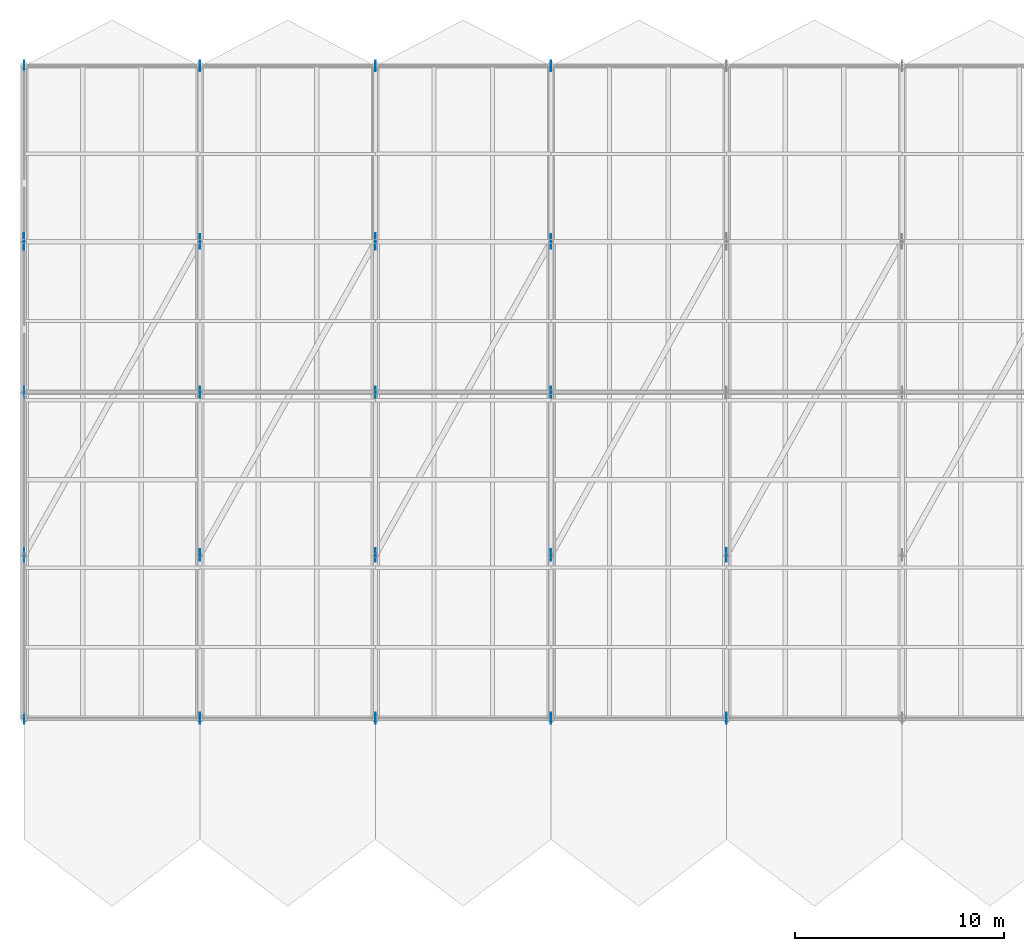
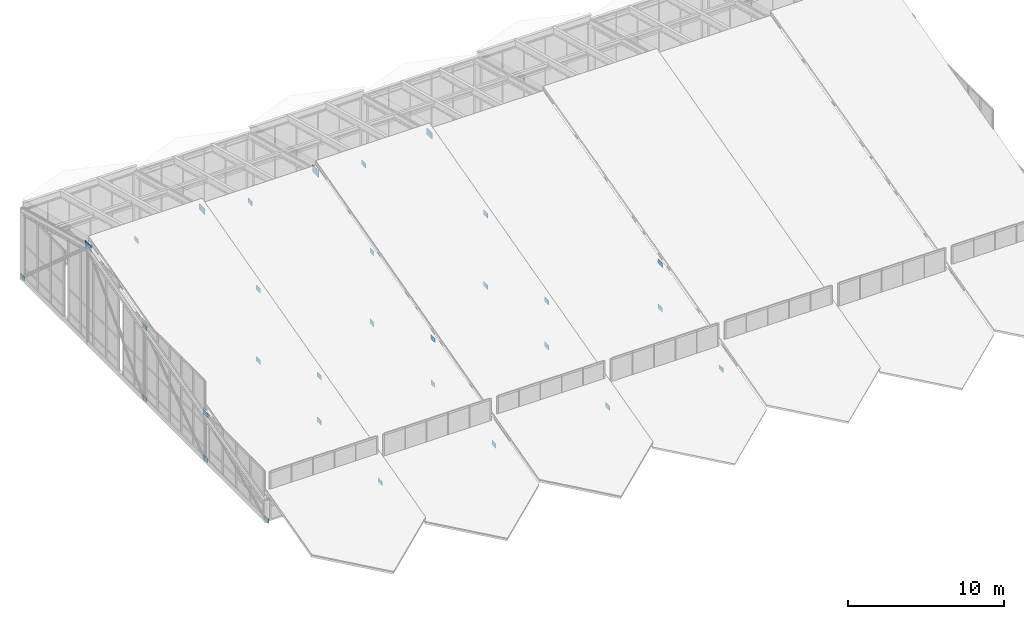
# One storey, part 41 of 43: 36 plates.
"""IFC4 building model written with IfcOpenShell, lengths in metres."""

from ifc_helpers import new_model, si_unit, direction, frame, origin, origin_2d, place, context, subcontext, project, spatial, rectangle, extrude, material, layer, layer_set, type_object, element, save


model = new_model("IFC4")

# Units and contexts
model_context = context("Model", 3, precision=1e-05, world=origin(), true_north=direction((0.0, 1.0)))
body_context = subcontext(model_context, "Body", "Model", "MODEL_VIEW")
ifc_project = project(units=[si_unit("LENGTHUNIT", "METRE"), si_unit("AREAUNIT", "SQUARE_METRE"), si_unit("VOLUMEUNIT", "CUBIC_METRE"), si_unit("PLANEANGLEUNIT", "RADIAN"), si_unit("MASSUNIT", "GRAM", prefix="KILO")], contexts=[model_context])

# Site, building, storey
site_placement = place(None, origin())
site = spatial("IfcSite", under=ifc_project, at=site_placement, CompositionType="ELEMENT")
building_placement = place(site_placement, origin())
building = spatial("IfcBuilding", under=site, at=building_placement, Name="Selat Folded Stagehouse", CompositionType="ELEMENT")
storey_placement = place(building_placement, frame((0.0, 0.0, 32.39990234375)))
storey = spatial("IfcBuildingStorey", under=building, at=storey_placement, Name="RF", CompositionType="ELEMENT", Elevation=32.39990234375)

# Plates
ifc_material = material(Name="Steel S355", Category="steel")
ifc_layer_1 = layer(ifc_material, 0.01806640625)
ifc_layer_set_1 = layer_set([ifc_layer_1], Name="Steel S355")
plate_type_1 = type_object("IfcPlateType", Name="PLT-GUSSET-520x360x18", PredefinedType="USERDEFINED", material=ifc_layer_set_1)
for number, where, z_axis, x_axis, name in (
    (1, (8.39990234375, 23.39990234375, -0.02978515625), (0.0, 0.0, 1.0), (0.0, 1.0, 0.0), "RF RF-WEB-00-P1 end gusset plate 1"),
    (2, (8.39990234375, 31.199951171875, 3.4853515625), (0.0, 0.0, 1.0), (0.0, 1.0, 0.0), "RF RF-WEB-00-P1 end gusset plate 2"),
    (3, (8.39990234375, 31.199951171875, -0.02978515625), (0.0, 0.0, 1.0), (0.0, 1.0, 0.0), "RF RF-WEB-00-P2 end gusset plate 3"),
    (4, (8.39990234375, 39.0, 5.5458984375), (0.0, 0.0, 1.0), (0.0, 1.0, 0.0), "RF RF-WEB-00-P2 end gusset plate 4"),
    (5, (8.39990234375, 39.0, -0.02978515625), (0.0, 0.0, 1.0), (0.0, 1.0, 0.0), "RF RF-WEB-00-P3 end gusset plate 5"),
    (6, (8.39990234375, 54.60009765625, -0.02978515625), (0.0, 0.0, 1.0), (0.0, 1.0, 0.0), "RF RF-WEB-00-P4 end gusset plate 6"),
    (7, (16.800048828125, 23.39990234375, -0.02978515625), (0.0, 0.0, 1.0), (0.0, 1.0, 0.0), "RF RF-WEB-01-P1 end gusset plate 7"),
    (8, (16.800048828125, 31.199951171875, 3.4853515625), (0.0, 0.0, 1.0), (0.0, 1.0, 0.0), "RF RF-WEB-01-P1 end gusset plate 8"),
    (9, (16.800048828125, 31.199951171875, -0.02978515625), (0.0, 0.0, 1.0), (0.0, 1.0, 0.0), "RF RF-WEB-01-P2 end gusset plate 9"),
    (10, (16.800048828125, 39.0, 5.5458984375), (0.0, 0.0, 1.0), (0.0, 1.0, 0.0), "RF RF-WEB-01-P2 end gusset plate 10"),
    (11, (16.800048828125, 39.0, -0.02978515625), (0.0, 0.0, 1.0), (0.0, 1.0, 0.0), "RF RF-WEB-01-P3 end gusset plate 11"),
    (12, (16.800048828125, 54.60009765625, -0.02978515625), (0.0, 0.0, 1.0), (0.0, 1.0, 0.0), "RF RF-WEB-01-P4 end gusset plate 12"),
    (13, (25.199951171875, 23.39990234375, -0.02978515625), (0.0, 0.0, 1.0), (0.0, 1.0, 0.0), "RF RF-WEB-02-P1 end gusset plate 13"),
    (14, (25.199951171875, 31.199951171875, 3.4853515625), (0.0, 0.0, 1.0), (0.0, 1.0, 0.0), "RF RF-WEB-02-P1 end gusset plate 14"),
    (15, (25.199951171875, 31.199951171875, -0.02978515625), (0.0, 0.0, 1.0), (0.0, 1.0, 0.0), "RF RF-WEB-02-P2 end gusset plate 15"),
    (16, (25.199951171875, 39.0, 5.5458984375), (0.0, 0.0, 1.0), (0.0, 1.0, 0.0), "RF RF-WEB-02-P2 end gusset plate 16"),
    (17, (25.199951171875, 39.0, -0.02978515625), (0.0, 0.0, 1.0), (0.0, 1.0, 0.0), "RF RF-WEB-02-P3 end gusset plate 17"),
    (18, (25.199951171875, 54.60009765625, -0.02978515625), (0.0, 0.0, 1.0), (0.0, 1.0, 0.0), "RF RF-WEB-02-P4 end gusset plate 18"),
    (19, (33.60009765625, 23.39990234375, -0.02978515625), (0.0, 0.0, 1.0), (0.0, 1.0, 0.0), "RF RF-WEB-03-P1 end gusset plate 19"),
    (20, (33.60009765625, 31.199951171875, 3.4853515625), (0.0, 0.0, 1.0), (0.0, 1.0, 0.0), "RF RF-WEB-03-P1 end gusset plate 20"),
    (21, (33.60009765625, 31.199951171875, -0.02978515625), (0.0, 0.0, 1.0), (0.0, 1.0, 0.0), "RF RF-WEB-03-P2 end gusset plate 21"),
    (22, (33.60009765625, 39.0, 5.5458984375), (0.0, 0.0, 1.0), (0.0, 1.0, 0.0), "RF RF-WEB-03-P2 end gusset plate 22"),
    (23, (33.60009765625, 39.0, -0.02978515625), (0.0, 0.0, 1.0), (0.0, 1.0, 0.0), "RF RF-WEB-03-P3 end gusset plate 23"),
    (24, (33.60009765625, 54.60009765625, -0.02978515625), (0.0, 0.0, 1.0), (0.0, 1.0, 0.0), "RF RF-WEB-03-P4 end gusset plate 24"),
    (25, (42.0, 23.39990234375, -0.02978515625), (0.0, 0.0, 1.0), (0.0, 1.0, 0.0), "RF RF-WEB-04-P1 end gusset plate 25"),
    (26, (42.0, 31.199951171875, 3.4853515625), (0.0, 0.0, 1.0), (0.0, 1.0, 0.0), "RF RF-WEB-04-P1 end gusset plate 26"),
    (27, (42.0, 31.199951171875, -0.02978515625), (0.0, 0.0, 1.0), (0.0, 1.0, 0.0), "RF RF-WEB-04-P2 end gusset plate 27"),
):
    element("IfcPlate", number, at=place(storey_placement, frame(where, z_axis=z_axis, x_axis=x_axis)), inside=storey, type_object=plate_type_1, Name=name, ObjectType="GUSSET_PLATE", PredefinedType="USERDEFINED", context=body_context, shape_type="SweptSolid", body=[
        extrude(rectangle(XDim=0.52001953125, YDim=0.01806640625, at=origin_2d()), origin(), (0.0, 0.0, 1.0), 0.360107421875),
    ])
ifc_layer_2 = layer(ifc_material, 0.02197265625)
ifc_layer_set_2 = layer_set([ifc_layer_2], Name="Steel S355")
plate_type_2 = type_object("IfcPlateType", Name="PLT-GUSSET-700x480x22", PredefinedType="USERDEFINED", material=ifc_layer_set_2)
for number, where, z_axis, x_axis, name in (
    (28, (16.800048828125, 46.199951171875, 7.387939453125), (0.0, 0.0, 1.0), (1.0, 0.0, 0.0), "Folded-plate ridge gusset plate 2"),
    (29, (33.60009765625, 46.199951171875, 7.387939453125), (0.0, 0.0, 1.0), (1.0, 0.0, 0.0), "Folded-plate ridge gusset plate 4"),
):
    element("IfcPlate", number, at=place(storey_placement, frame(where, z_axis=z_axis, x_axis=x_axis)), inside=storey, type_object=plate_type_2, Name=name, ObjectType="GUSSET_PLATE", PredefinedType="USERDEFINED", context=body_context, shape_type="SweptSolid", body=[
        extrude(rectangle(XDim=0.02197265625, YDim=0.699951171875, at=origin_2d()), origin(), (0.0, 0.0, 1.0), 0.47998046875),
    ])
ifc_layer_3 = layer(ifc_material, 0.02392578125)
ifc_layer_set_3 = layer_set([ifc_layer_3], Name="Steel S355")
plate_type_3 = type_object("IfcPlateType", Name="PLT-GUSSET-800x550x24", PredefinedType="USERDEFINED", material=ifc_layer_set_3)
for number, where, z_axis, x_axis, name in (
    (30, (8.39990234375, 46.199951171875, 7.35302734375), (0.0, 0.0, 1.0), (1.0, 0.0, 0.0), "Folded-plate ridge gusset plate 1"),
    (31, (25.199951171875, 46.199951171875, 7.35302734375), (0.0, 0.0, 1.0), (1.0, 0.0, 0.0), "Folded-plate ridge gusset plate 3"),
):
    element("IfcPlate", number, at=place(storey_placement, frame(where, z_axis=z_axis, x_axis=x_axis)), inside=storey, type_object=plate_type_3, Name=name, ObjectType="GUSSET_PLATE", PredefinedType="USERDEFINED", context=body_context, shape_type="SweptSolid", body=[
        extrude(rectangle(XDim=0.02392578125, YDim=0.800048828125, at=origin_2d()), origin(), (0.0, 0.0, 1.0), 0.550048828125),
    ])
ifc_layer_4 = layer(ifc_material, 0.02001953125)
ifc_layer_set_4 = layer_set([ifc_layer_4], Name="Steel S355")
plate_type_4 = type_object("IfcPlateType", Name="PLT-SPLICE-560x280x20", PredefinedType="USERDEFINED", material=ifc_layer_set_4)
for number, where, z_axis, x_axis, name in (
    (32, (16.800048828125, 31.199951171875, 3.525390625), (0.0, 0.0, 1.0), (1.0, 0.0, 0.0), "Folded-plate rafter splice plate 2"),
    (33, (33.60009765625, 31.199951171875, 3.525390625), (0.0, 0.0, 1.0), (1.0, 0.0, 0.0), "Folded-plate rafter splice plate 4"),
):
    element("IfcPlate", number, at=place(storey_placement, frame(where, z_axis=z_axis, x_axis=x_axis)), inside=storey, type_object=plate_type_4, Name=name, ObjectType="SPLICE_PLATE", PredefinedType="USERDEFINED", context=body_context, shape_type="SweptSolid", body=[
        extrude(rectangle(XDim=0.02001953125, YDim=0.56005859375, at=origin_2d()), origin(), (0.0, 0.0, 1.0), 0.280029296875),
    ])
ifc_layer_5 = layer(ifc_material, 0.02197265625)
ifc_layer_set_5 = layer_set([ifc_layer_5], Name="Steel S355")
plate_type_5 = type_object("IfcPlateType", Name="PLT-SPLICE-650x320x22", PredefinedType="USERDEFINED", material=ifc_layer_set_5)
for number, where, z_axis, x_axis, name in (
    (34, (8.39990234375, 31.199951171875, 3.50537109375), (0.0, 0.0, 1.0), (1.0, 0.0, 0.0), "Folded-plate rafter splice plate 1"),
    (35, (25.199951171875, 31.199951171875, 3.50537109375), (0.0, 0.0, 1.0), (1.0, 0.0, 0.0), "Folded-plate rafter splice plate 3"),
    (36, (42.0, 31.199951171875, 3.50537109375), (0.0, 0.0, 1.0), (1.0, 0.0, 0.0), "Folded-plate rafter splice plate 5"),
):
    element("IfcPlate", number, at=place(storey_placement, frame(where, z_axis=z_axis, x_axis=x_axis)), inside=storey, type_object=plate_type_5, Name=name, ObjectType="SPLICE_PLATE", PredefinedType="USERDEFINED", context=body_context, shape_type="SweptSolid", body=[
        extrude(rectangle(XDim=0.02197265625, YDim=0.64990234375, at=origin_2d()), origin(), (0.0, 0.0, 1.0), 0.320068359375),
    ])

save(model, "model.ifc")
